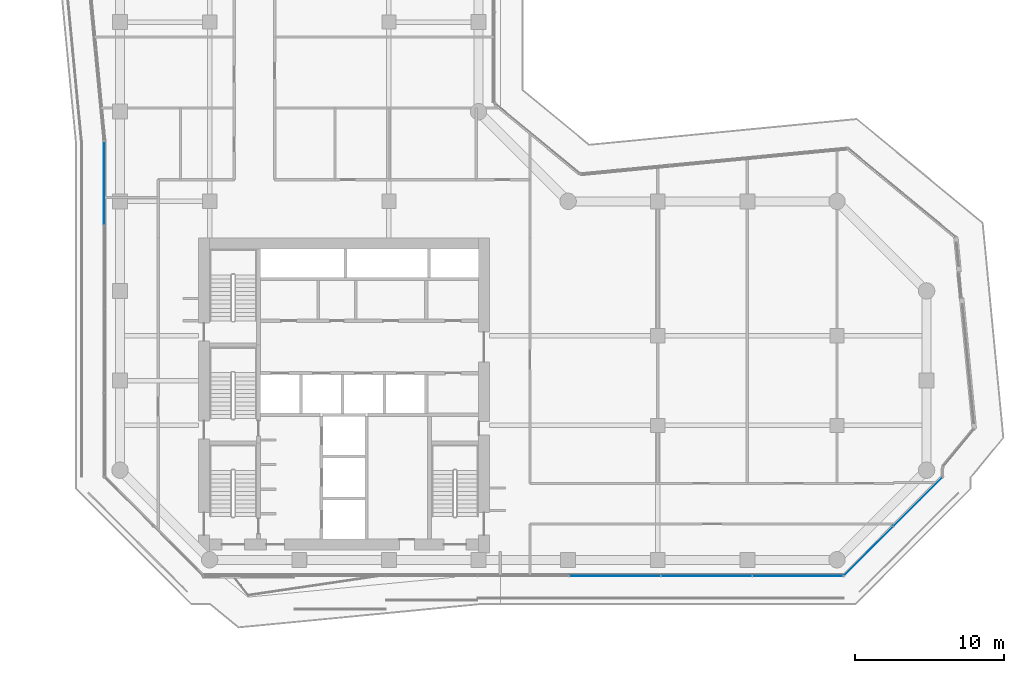
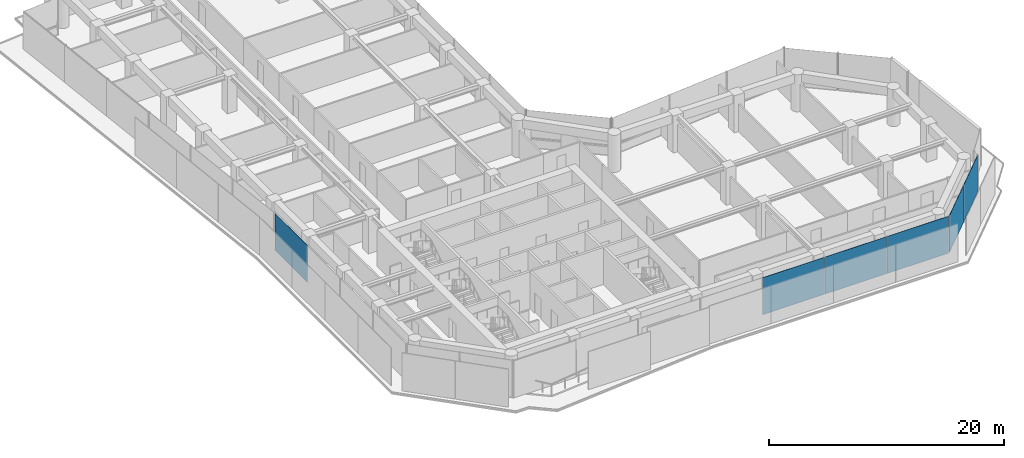
# One storey, part 20 of 28: 6 plates, 3 elements without a shape of their own.
"""IFC4 building model written with IfcOpenShell, lengths in metres."""

from ifc_helpers import new_model, si_unit, direction, frame, origin, origin_2d, place, context, subcontext, project, spatial, rectangle, extrude, material, layer, layer_set, type_object, element, aggregate, save


model = new_model("IFC4")

# Units and contexts
model_context = context("Model", 3, precision=1e-05, world=origin(), true_north=direction((0.0, 1.0)))
body_context = subcontext(model_context, "Body", "Model", "MODEL_VIEW")
ifc_project = project(units=[si_unit("LENGTHUNIT", "METRE"), si_unit("AREAUNIT", "SQUARE_METRE"), si_unit("VOLUMEUNIT", "CUBIC_METRE"), si_unit("PLANEANGLEUNIT", "RADIAN"), si_unit("MASSUNIT", "GRAM", prefix="KILO")], contexts=[model_context])

# Site, building, storey
site_placement = place(None, origin())
site = spatial("IfcSite", under=ifc_project, at=site_placement, CompositionType="ELEMENT")
building_placement = place(site_placement, origin())
building = spatial("IfcBuilding", under=site, at=building_placement, Name="Welwitschia Terrace Campus", CompositionType="ELEMENT")
storey_placement = place(building_placement, frame((0.0, 0.0, 87.800048828125)))
storey = spatial("IfcBuildingStorey", under=building, at=storey_placement, Name="L19", CompositionType="ELEMENT", Elevation=87.800048828125)

# Curtain wall, plate
ifc_material_1 = material(Name="Bronze anodised aluminium", Category="aluminium")
ifc_layer_1 = layer(ifc_material_1, 0.1201171875)
ifc_layer_set_1 = layer_set([ifc_layer_1], Name="Bronze anodised aluminium")
curtain_wall_type = type_object("IfcCurtainWallType", Name="Curtain wall CW2 tower 6000", PredefinedType="NOTDEFINED", material=ifc_layer_set_1)
curtain_wall_1_placement = place(storey_placement, origin())
curtain_wall_1 = element("IfcCurtainWall", 1, at=curtain_wall_1_placement, inside=storey, type_object=curtain_wall_type, Name="CW L19.1.0", PredefinedType="NOTDEFINED")
ifc_material_2 = material(Name="Tinted bronze-grey glass", Category="glass")
ifc_layer_2 = layer(ifc_material_2, 0.028076171875)
ifc_layer_set_2 = layer_set([ifc_layer_2], Name="Tinted bronze-grey glass")
plate_type = type_object("IfcPlateType", Name="Glass panel 28 tinted", PredefinedType="CURTAIN_PANEL", material=ifc_layer_set_2)
plate_1_placement = place(storey_placement, frame((-1.0859375, 29.212646484375, 0.0), z_axis=(0.0, 0.0, 1.0), x_axis=(0.0, -1.0, 0.0)))
plate_1 = element("IfcPlate", 2, at=plate_1_placement, type_object=plate_type, Name="Panel L19.1.0.0", PredefinedType="CURTAIN_PANEL", context=body_context, shape_type="SweptSolid", body=[
    extrude(rectangle(XDim=5.5322265625, YDim=0.028076171875, at=origin_2d()), origin(), (0.0, 0.0, 1.0), 3.85009765625),
])
aggregate(curtain_wall_1, [plate_1])

# Curtain wall, plates
curtain_wall_2_placement = place(storey_placement, origin())
curtain_wall_2 = element("IfcCurtainWall", 3, at=curtain_wall_2_placement, inside=storey, type_object=curtain_wall_type, Name="CW L19.3.0", PredefinedType="NOTDEFINED")
plate_2_placement = place(storey_placement, frame((33.12841796875, 2.9140625, 0.0), z_axis=(0.0, 0.0, 1.0), x_axis=(1.0, 0.0, 0.0)))
plate_2 = element("IfcPlate", 4, at=plate_2_placement, type_object=plate_type, Name="Panel L19.3.0.4", PredefinedType="CURTAIN_PANEL", context=body_context, shape_type="SweptSolid", body=[
    extrude(rectangle(XDim=6.068603515625, YDim=0.028076171875, at=origin_2d()), origin(), (0.0, 0.0, 1.0), 3.85009765625),
])
plate_3_placement = place(storey_placement, frame((39.257080078125, 2.9140625, 0.0), z_axis=(0.0, 0.0, 1.0), x_axis=(1.0, 0.0, 0.0)))
plate_3 = element("IfcPlate", 5, at=plate_3_placement, type_object=plate_type, Name="Panel L19.3.0.5", PredefinedType="CURTAIN_PANEL", context=body_context, shape_type="SweptSolid", body=[
    extrude(rectangle(XDim=6.068603515625, YDim=0.028076171875, at=origin_2d()), origin(), (0.0, 0.0, 1.0), 3.85009765625),
])
plate_4_placement = place(storey_placement, frame((45.37060546875, 2.9140625, 0.0), z_axis=(0.0, 0.0, 1.0), x_axis=(1.0, 0.0, 0.0)))
plate_4 = element("IfcPlate", 6, at=plate_4_placement, type_object=plate_type, Name="Panel L19.3.0.6", PredefinedType="CURTAIN_PANEL", context=body_context, shape_type="SweptSolid", body=[
    extrude(rectangle(XDim=6.03857421875, YDim=0.028076171875, at=origin_2d()), origin(), (0.0, 0.0, 1.0), 3.85009765625),
])
aggregate(curtain_wall_2, [plate_2, plate_3, plate_4])

curtain_wall_3_placement = place(storey_placement, origin())
curtain_wall_3 = element("IfcCurtainWall", 7, at=curtain_wall_3_placement, inside=storey, type_object=curtain_wall_type, Name="CW L19.4.0", PredefinedType="NOTDEFINED")
plate_5_placement = place(storey_placement, frame((50.119384765625, 4.583740234375, 0.0), z_axis=(0.0, 0.0, 1.0), x_axis=(0.707106781187, 0.707106781187, 0.0)))
plate_5 = element("IfcPlate", 8, at=plate_5_placement, type_object=plate_type, Name="Panel L19.4.0.0", PredefinedType="CURTAIN_PANEL", context=body_context, shape_type="SweptSolid", body=[
    extrude(rectangle(XDim=4.6025390625, YDim=0.028076171875, at=origin_2d()), origin(), (0.0, 0.0, 1.0), 3.85009765625),
])
plate_6_placement = place(storey_placement, frame((53.416259765625, 7.880615234375, 0.0), z_axis=(0.0, 0.0, 1.0), x_axis=(0.707106781187, 0.707106781187, 0.0)))
plate_6 = element("IfcPlate", 9, at=plate_6_placement, type_object=plate_type, Name="Panel L19.4.0.1", PredefinedType="CURTAIN_PANEL", context=body_context, shape_type="SweptSolid", body=[
    extrude(rectangle(XDim=4.6025390625, YDim=0.028076171875, at=origin_2d()), origin(), (0.0, 0.0, 1.0), 3.85009765625),
])
aggregate(curtain_wall_3, [plate_5, plate_6])

save(model, "model.ifc")
